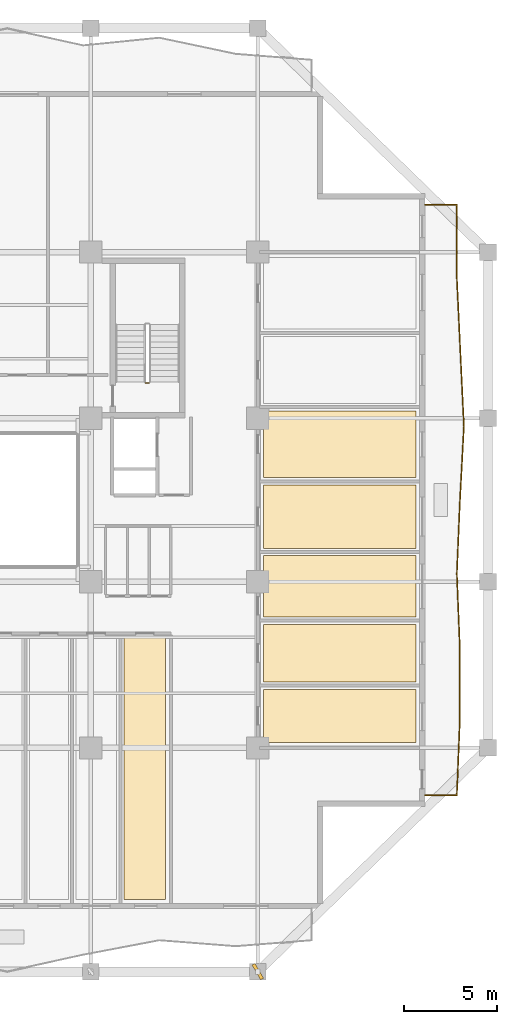
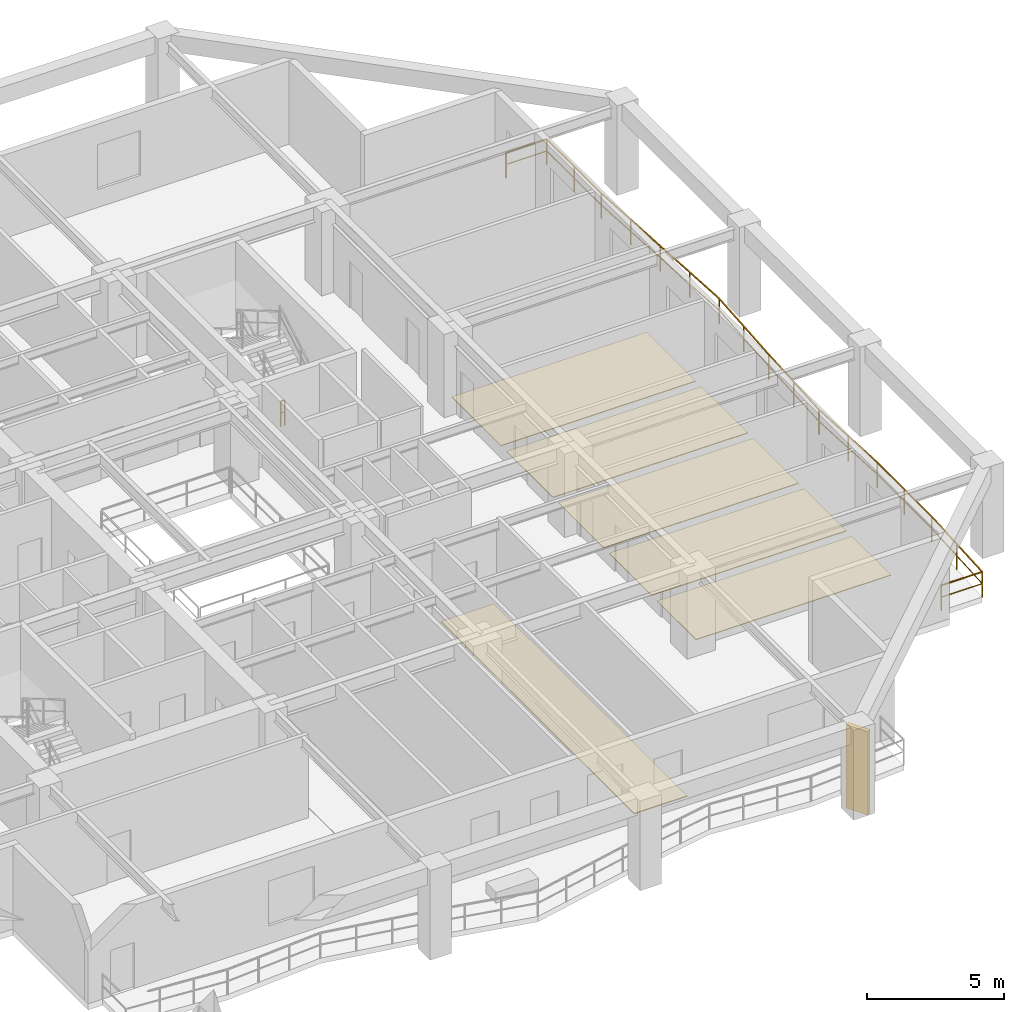
# One storey, part 10 of 13: 6 coverings, 2 railings, 1 shading device.
"""IFC4 building model written with IfcOpenShell, lengths in metres."""

from ifc_helpers import new_model, si_unit, direction, frame, origin, origin_2d, place, context, subcontext, project, spatial, polyline, rectangle, outline, extrude, material, layer, layer_set, type_object, element, save


model = new_model("IFC4")

# Units and contexts
model_context = context("Model", 3, precision=1e-05, world=origin(), true_north=direction((0.0, 1.0)))
body_context = subcontext(model_context, "Body", "Model", "MODEL_VIEW")
ifc_project = project(units=[si_unit("LENGTHUNIT", "METRE"), si_unit("AREAUNIT", "SQUARE_METRE"), si_unit("VOLUMEUNIT", "CUBIC_METRE"), si_unit("PLANEANGLEUNIT", "RADIAN"), si_unit("MASSUNIT", "GRAM", prefix="KILO")], contexts=[model_context])

# Site, building, storey
site_placement = place(None, origin())
site = spatial("IfcSite", under=ifc_project, at=site_placement, CompositionType="ELEMENT")
building_placement = place(site_placement, origin())
building = spatial("IfcBuilding", under=site, at=building_placement, Name="Kundavana Baori Tower", CompositionType="ELEMENT")
storey_placement = place(building_placement, frame((0.0, 0.0, 70.0)))
storey = spatial("IfcBuildingStorey", under=building, at=storey_placement, Name="L16", CompositionType="ELEMENT", Elevation=70.0)

# Coverings
ifc_material_1 = material(Name="Honed Kota Stone and Terrazzo Flooring", Category="masonry")
ifc_layer_1 = layer(ifc_material_1, 0.0400390625, Name="COV-FLR-TERR-40")
ifc_layer_set_1 = layer_set([ifc_layer_1], Name="Honed Kota Stone and Terrazzo Flooring")
covering_type_1 = type_object("IfcCoveringType", Name="COV-FLR-TERR-40", PredefinedType="FLOORING", material=ifc_layer_set_1)
covering_1_placement = place(storey_placement, origin())
element("IfcCovering", 1, at=covering_1_placement, inside=storey, type_object=covering_type_1, Name="L16 Room Finished Stone Flooring 6", PredefinedType="FLOORING", context=body_context, shape_type="SweptSolid", body=[
    extrude(outline(polyline([(35.60009765625, 7.080078125), (37.840087890625, 7.080078125), (37.840087890625, 21.199951171875), (35.60009765625, 21.199951171875), (35.60009765625, 7.080078125)])), origin(), (0.0, 0.0, 1.0), 0.0400390625),
])
ifc_material_2 = material(Name="Honed Kota Stone and Terrazzo Flooring", Category="masonry")
ifc_layer_2 = layer(ifc_material_2, 0.030029296875, Name="COV-INT-FLR")
ifc_layer_set_2 = layer_set([ifc_layer_2], Name="Honed Kota Stone and Terrazzo Flooring")
covering_type_2 = type_object("IfcCoveringType", Name="COV-INT-FLR", PredefinedType="FLOORING", material=ifc_layer_set_2)
covering_2_placement = place(storey_placement, origin())
element("IfcCovering", 2, at=covering_2_placement, inside=storey, type_object=covering_type_2, Name="L16 Room Finished Stone Flooring 7", PredefinedType="FLOORING", context=body_context, shape_type="SweptSolid", body=[
    extrude(outline(polyline([(43.10009765625, 15.550048828125), (51.320068359375, 15.550048828125), (51.320068359375, 18.39990234375), (43.10009765625, 18.39990234375), (43.10009765625, 15.550048828125)])), origin(), (0.0, 0.0, 1.0), 0.030029296875),
])
covering_3_placement = place(storey_placement, origin())
element("IfcCovering", 3, at=covering_3_placement, inside=storey, type_object=covering_type_2, Name="L16 Room Finished Stone Flooring 8", PredefinedType="FLOORING", context=body_context, shape_type="SweptSolid", body=[
    extrude(outline(polyline([(43.10009765625, 18.800048828125), (51.320068359375, 18.800048828125), (51.320068359375, 21.89990234375), (43.10009765625, 21.89990234375), (43.10009765625, 18.800048828125)])), origin(), (0.0, 0.0, 1.0), 0.030029296875),
])
covering_4_placement = place(storey_placement, origin())
element("IfcCovering", 4, at=covering_4_placement, inside=storey, type_object=covering_type_2, Name="L16 Room Finished Stone Flooring 9", PredefinedType="FLOORING", context=body_context, shape_type="SweptSolid", body=[
    extrude(outline(polyline([(43.10009765625, 22.300048828125), (51.320068359375, 22.300048828125), (51.320068359375, 25.60009765625), (43.10009765625, 25.60009765625), (43.10009765625, 22.300048828125)])), origin(), (0.0, 0.0, 1.0), 0.030029296875),
])
covering_5_placement = place(storey_placement, origin())
element("IfcCovering", 5, at=covering_5_placement, inside=storey, type_object=covering_type_2, Name="L16 Room Finished Stone Flooring 10", PredefinedType="FLOORING", context=body_context, shape_type="SweptSolid", body=[
    extrude(outline(polyline([(43.10009765625, 26.0), (51.320068359375, 26.0), (51.320068359375, 29.39990234375), (43.10009765625, 29.39990234375), (43.10009765625, 26.0)])), origin(), (0.0, 0.0, 1.0), 0.030029296875),
])
covering_6_placement = place(storey_placement, origin())
element("IfcCovering", 6, at=covering_6_placement, inside=storey, type_object=covering_type_2, Name="L16 Room Finished Stone Flooring 11", PredefinedType="FLOORING", context=body_context, shape_type="SweptSolid", body=[
    extrude(outline(polyline([(43.10009765625, 29.800048828125), (51.320068359375, 29.800048828125), (51.320068359375, 33.39990234375), (43.10009765625, 33.39990234375), (43.10009765625, 29.800048828125)])), origin(), (0.0, 0.0, 1.0), 0.030029296875),
])

# Railings
ifc_material_3 = material(Name="Architectural Patinated Bronze Metalwork")
railing_type_1 = type_object("IfcRailingType", Name="RL-BAL-1150", PredefinedType="BALUSTRADE", material=ifc_material_3)
railing_1_placement = place(storey_placement, frame((51.800048828125, 44.5, 0.0)))
element("IfcRailing", 7, at=railing_1_placement, inside=storey, type_object=railing_type_1, Name="L16 Loggia Balcony Balustrade E", PredefinedType="BALUSTRADE", context=body_context, shape_type="SweptSolid", body=[
    extrude(rectangle(XDim=0.048095703125, YDim=0.048095703125, at=origin_2d()), frame((0.0, 0.0, 1.1259765625), z_axis=(1.0, 0.0, 0.0), x_axis=(0.0, 1.0, 0.0)), (0.0, 0.0, 1.0), 1.719970703125),
    extrude(rectangle(XDim=0.03125, YDim=0.03125, at=origin_2d()), frame((0.0, 0.0, 0.597900390625), z_axis=(1.0, 0.0, 0.0), x_axis=(0.0, 1.0, 0.0)), (0.0, 0.0, 1.0), 1.719970703125),
    extrude(rectangle(XDim=0.048095703125, YDim=0.048095703125, at=origin_2d()), frame((1.719970703125, 0.0, 1.1259765625), z_axis=(0.000982679786, -0.99999951717, 0.0), x_axis=(0.99999951717, 0.000982679786, 0.0)), (0.0, 0.0, 1.0), 3.97509765625),
    extrude(rectangle(XDim=0.03125, YDim=0.03125, at=origin_2d()), frame((1.719970703125, 0.0, 0.597900390625), z_axis=(0.000982679786, -0.99999951717, 0.0), x_axis=(0.99999951717, 0.000982679786, 0.0)), (0.0, 0.0, 1.0), 3.97509765625),
    extrude(rectangle(XDim=0.048095703125, YDim=0.048095703125, at=origin_2d()), frame((1.723876953125, -3.97509765625, 1.1259765625), z_axis=(0.046996720315, -0.998895043676, 0.0), x_axis=(0.998895043676, 0.046996720315, 0.0)), (0.0, 0.0, 1.0), 3.979248046875),
    extrude(rectangle(XDim=0.03125, YDim=0.03125, at=origin_2d()), frame((1.723876953125, -3.97509765625, 0.597900390625), z_axis=(0.046996720315, -0.998895043676, 0.0), x_axis=(0.998895043676, 0.046996720315, 0.0)), (0.0, 0.0, 1.0), 3.979248046875),
    extrude(rectangle(XDim=0.048095703125, YDim=0.048095703125, at=origin_2d()), frame((1.910888671875, -7.949951171875, 1.1259765625), z_axis=(0.048034404179, -0.998845681782, 0.0), x_axis=(0.998845681782, 0.048034404179, 0.0)), (0.0, 0.0, 1.0), 3.979736328125),
    extrude(rectangle(XDim=0.03125, YDim=0.03125, at=origin_2d()), frame((1.910888671875, -7.949951171875, 0.597900390625), z_axis=(0.048034404179, -0.998845681782, 0.0), x_axis=(0.998845681782, 0.048034404179, 0.0)), (0.0, 0.0, 1.0), 3.979736328125),
    extrude(rectangle(XDim=0.048095703125, YDim=0.048095703125, at=origin_2d()), frame((2.10205078125, -11.925048828125, 1.1259765625), z_axis=(-0.053299231682, -0.998578585742, 0.0), x_axis=(0.998578585742, -0.053299231682, 0.0)), (0.0, 0.0, 1.0), 3.98046875),
    extrude(rectangle(XDim=0.03125, YDim=0.03125, at=origin_2d()), frame((2.10205078125, -11.925048828125, 0.597900390625), z_axis=(-0.053299231682, -0.998578585742, 0.0), x_axis=(0.998578585742, -0.053299231682, 0.0)), (0.0, 0.0, 1.0), 3.98046875),
    extrude(rectangle(XDim=0.048095703125, YDim=0.048095703125, at=origin_2d()), frame((1.889892578125, -15.89990234375, 1.1259765625), z_axis=(-0.042217578132, -0.999108440609, 0.0), x_axis=(0.999108440609, -0.042217578132, 0.0)), (0.0, 0.0, 1.0), 3.978759765625),
    extrude(rectangle(XDim=0.03125, YDim=0.03125, at=origin_2d()), frame((1.889892578125, -15.89990234375, 0.597900390625), z_axis=(-0.042217578132, -0.999108440609, 0.0), x_axis=(0.999108440609, -0.042217578132, 0.0)), (0.0, 0.0, 1.0), 3.978759765625),
    extrude(rectangle(XDim=0.048095703125, YDim=0.048095703125, at=origin_2d()), frame((1.721923828125, -19.875, 1.1259765625), z_axis=(0.040502299094, -0.999179445229, 0.0), x_axis=(0.999179445229, 0.040502299094, 0.0)), (0.0, 0.0, 1.0), 3.978271484375),
    extrude(rectangle(XDim=0.03125, YDim=0.03125, at=origin_2d()), frame((1.721923828125, -19.875, 0.597900390625), z_axis=(0.040502299094, -0.999179445229, 0.0), x_axis=(0.999179445229, 0.040502299094, 0.0)), (0.0, 0.0, 1.0), 3.978271484375),
    extrude(rectangle(XDim=0.048095703125, YDim=0.048095703125, at=origin_2d()), frame((1.883056640625, -23.85009765625, 1.1259765625), z_axis=(-0.000552791513, -0.999999847211, 0.0), x_axis=(0.999999847211, -0.000552791513, 0.0)), (0.0, 0.0, 1.0), 3.974853515625),
    extrude(rectangle(XDim=0.03125, YDim=0.03125, at=origin_2d()), frame((1.883056640625, -23.85009765625, 0.597900390625), z_axis=(-0.000552791513, -0.999999847211, 0.0), x_axis=(0.999999847211, -0.000552791513, 0.0)), (0.0, 0.0, 1.0), 3.974853515625),
    extrude(rectangle(XDim=0.048095703125, YDim=0.048095703125, at=origin_2d()), frame((1.880859375, -27.824951171875, 1.1259765625), z_axis=(-0.040441032415, -0.999181926827, 0.0), x_axis=(0.999181926827, -0.040441032415, 0.0)), (0.0, 0.0, 1.0), 3.978271484375),
    extrude(rectangle(XDim=0.03125, YDim=0.03125, at=origin_2d()), frame((1.880859375, -27.824951171875, 0.597900390625), z_axis=(-0.040441032415, -0.999181926827, 0.0), x_axis=(0.999181926827, -0.040441032415, 0.0)), (0.0, 0.0, 1.0), 3.978271484375),
    extrude(rectangle(XDim=0.048095703125, YDim=0.048095703125, at=origin_2d()), frame((1.719970703125, -31.800048828125, 1.1259765625), z_axis=(-1.0, 0.0, 0.0), x_axis=(0.0, -1.0, 0.0)), (0.0, 0.0, 1.0), 1.719970703125),
    extrude(rectangle(XDim=0.03125, YDim=0.03125, at=origin_2d()), frame((1.719970703125, -31.800048828125, 0.597900390625), z_axis=(-1.0, 0.0, 0.0), x_axis=(0.0, -1.0, 0.0)), (0.0, 0.0, 1.0), 1.719970703125),
    extrude(rectangle(XDim=0.0419921875, YDim=0.0419921875, at=origin_2d()), origin(), (0.0, 0.0, 1.0), 1.101806640625),
    extrude(rectangle(XDim=0.0419921875, YDim=0.0419921875, at=origin_2d()), frame((1.719970703125, 0.0, 0.0)), (0.0, 0.0, 1.0), 1.101806640625),
    extrude(rectangle(XDim=0.0419921875, YDim=0.0419921875, at=origin_2d()), frame((1.721923828125, -1.987548828125, 0.0)), (0.0, 0.0, 1.0), 1.101806640625),
    extrude(rectangle(XDim=0.0419921875, YDim=0.0419921875, at=origin_2d()), frame((1.723876953125, -3.97509765625, 0.0)), (0.0, 0.0, 1.0), 1.101806640625),
    extrude(rectangle(XDim=0.0419921875, YDim=0.0419921875, at=origin_2d()), frame((1.8173828125, -5.96240234375, 0.0)), (0.0, 0.0, 1.0), 1.101806640625),
    extrude(rectangle(XDim=0.0419921875, YDim=0.0419921875, at=origin_2d()), frame((1.910888671875, -7.949951171875, 0.0)), (0.0, 0.0, 1.0), 1.101806640625),
    extrude(rectangle(XDim=0.0419921875, YDim=0.0419921875, at=origin_2d()), frame((2.00634765625, -9.9375, 0.0)), (0.0, 0.0, 1.0), 1.101806640625),
    extrude(rectangle(XDim=0.0419921875, YDim=0.0419921875, at=origin_2d()), frame((2.10205078125, -11.925048828125, 0.0)), (0.0, 0.0, 1.0), 1.101806640625),
    extrude(rectangle(XDim=0.0419921875, YDim=0.0419921875, at=origin_2d()), frame((1.99609375, -13.91259765625, 0.0)), (0.0, 0.0, 1.0), 1.101806640625),
    extrude(rectangle(XDim=0.0419921875, YDim=0.0419921875, at=origin_2d()), frame((1.889892578125, -15.89990234375, 0.0)), (0.0, 0.0, 1.0), 1.101806640625),
    extrude(rectangle(XDim=0.0419921875, YDim=0.0419921875, at=origin_2d()), frame((1.805908203125, -17.887451171875, 0.0)), (0.0, 0.0, 1.0), 1.101806640625),
    extrude(rectangle(XDim=0.0419921875, YDim=0.0419921875, at=origin_2d()), frame((1.721923828125, -19.875, 0.0)), (0.0, 0.0, 1.0), 1.101806640625),
    extrude(rectangle(XDim=0.0419921875, YDim=0.0419921875, at=origin_2d()), frame((1.802490234375, -21.862548828125, 0.0)), (0.0, 0.0, 1.0), 1.101806640625),
    extrude(rectangle(XDim=0.0419921875, YDim=0.0419921875, at=origin_2d()), frame((1.883056640625, -23.85009765625, 0.0)), (0.0, 0.0, 1.0), 1.101806640625),
    extrude(rectangle(XDim=0.0419921875, YDim=0.0419921875, at=origin_2d()), frame((1.8818359375, -25.83740234375, 0.0)), (0.0, 0.0, 1.0), 1.101806640625),
    extrude(rectangle(XDim=0.0419921875, YDim=0.0419921875, at=origin_2d()), frame((1.880859375, -27.824951171875, 0.0)), (0.0, 0.0, 1.0), 1.101806640625),
    extrude(rectangle(XDim=0.0419921875, YDim=0.0419921875, at=origin_2d()), frame((1.80029296875, -29.8125, 0.0)), (0.0, 0.0, 1.0), 1.101806640625),
    extrude(rectangle(XDim=0.0419921875, YDim=0.0419921875, at=origin_2d()), frame((1.719970703125, -31.800048828125, 0.0)), (0.0, 0.0, 1.0), 1.101806640625),
    extrude(rectangle(XDim=0.0419921875, YDim=0.0419921875, at=origin_2d()), frame((0.0, -31.800048828125, 0.0)), (0.0, 0.0, 1.0), 1.101806640625),
])
ifc_material_4 = material(Name="Architectural Patinated Bronze Metalwork")
railing_type_2 = type_object("IfcRailingType", Name="RL-GRD-1150", PredefinedType="GUARDRAIL", material=ifc_material_4)
railing_2_placement = place(storey_placement, frame((36.929931640625, 34.89990234375, 0.0)))
element("IfcRailing", 8, at=railing_2_placement, inside=storey, type_object=railing_type_2, Name="L16 ST3 stair guard 4", PredefinedType="GUARDRAIL", context=body_context, shape_type="SweptSolid", body=[
    extrude(rectangle(XDim=0.048095703125, YDim=0.048095703125, at=origin_2d()), frame((0.0, 0.0, 1.1259765625), z_axis=(-1.0, 0.0, 0.0), x_axis=(0.0, -1.0, 0.0)), (0.0, 0.0, 1.0), 0.159912109375),
    extrude(rectangle(XDim=0.03125, YDim=0.03125, at=origin_2d()), frame((0.0, 0.0, 0.597900390625), z_axis=(-1.0, 0.0, 0.0), x_axis=(0.0, -1.0, 0.0)), (0.0, 0.0, 1.0), 0.159912109375),
    extrude(rectangle(XDim=0.0419921875, YDim=0.0419921875, at=origin_2d()), origin(), (0.0, 0.0, 1.0), 1.101806640625),
    extrude(rectangle(XDim=0.0419921875, YDim=0.0419921875, at=origin_2d()), frame((-0.159912109375, 0.0, 0.0)), (0.0, 0.0, 1.0), 1.101806640625),
])

# Shading device
ifc_material_5 = material(Name="Red-Buff Dholpur Sandstone Cladding on Concrete C40/50", Category="masonry")
shading_device_type = type_object("IfcShadingDeviceType", Name="SHD-FIN-920", PredefinedType="JALOUSIE", material=ifc_material_5)
shading_device_placement = place(storey_placement, frame((42.800048828125, 3.199951171875, 0.0), z_axis=(0.0, 0.0, 1.0), x_axis=(0.863747566902, 0.503924737109, 0.0)))
element("IfcShadingDevice", 9, at=shading_device_placement, inside=storey, type_object=shading_device_type, Name="L16 Sweeping Dholpur Sandstone Facade Fin 4", PredefinedType="JALOUSIE", context=body_context, shape_type="SweptSolid", body=[
    extrude(rectangle(XDim=0.179931640625, YDim=0.919921875, at=origin_2d()), origin(), (0.0, 0.0, 1.0), 3.719970703125),
])

save(model, "model.ifc")
